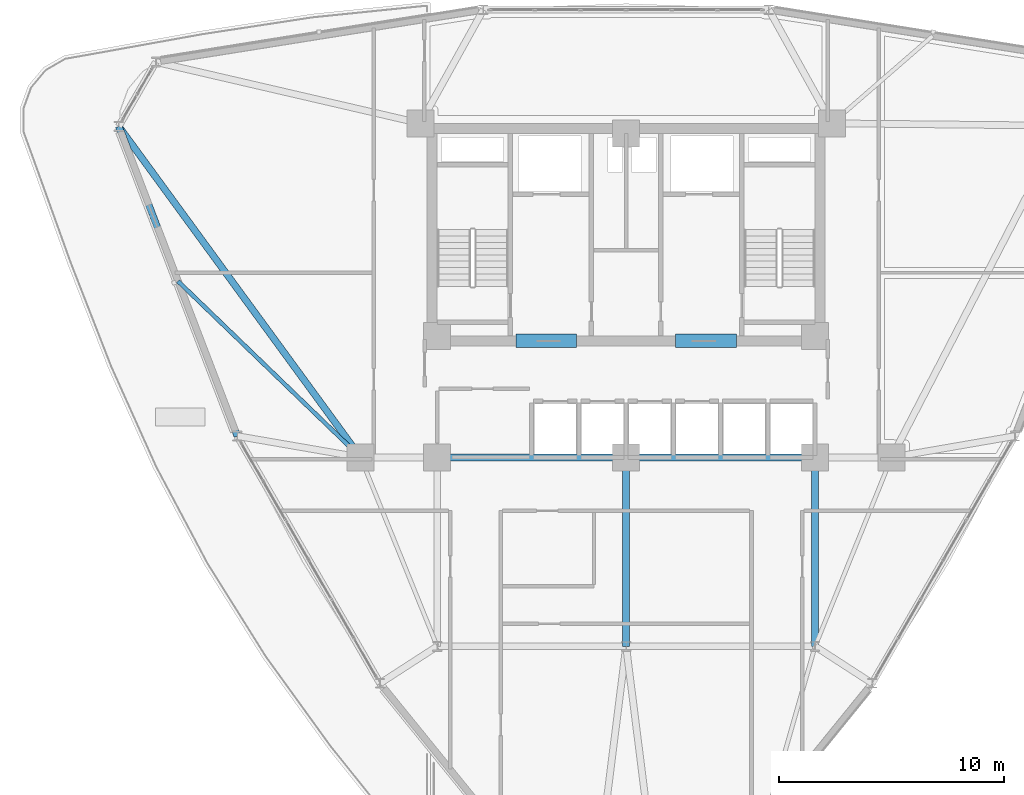
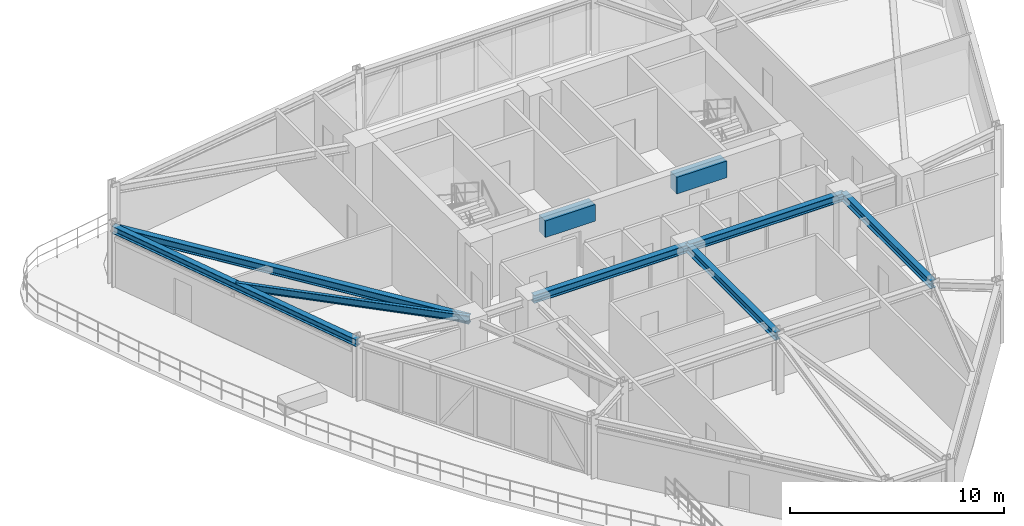
# One storey, part 6 of 18: 9 beams.
"""IFC4 building model written with IfcOpenShell, lengths in metres."""

from ifc_helpers import new_model, si_unit, derived_unit, direction, frame, origin, origin_2d, place, context, subcontext, project, spatial, rectangle, i_section, extrude, source, transform, mapped, material, material_profile, profile_set, type_object, element, save


model = new_model("IFC4")

# Units and contexts
model_context = context("Model", 3, precision=1e-05, world=origin(), true_north=direction((0.0, 1.0)))
body_context = subcontext(model_context, "Body", "Model", "MODEL_VIEW")
ifc_project = project(units=[si_unit("LENGTHUNIT", "METRE"), si_unit("AREAUNIT", "SQUARE_METRE"), si_unit("VOLUMEUNIT", "CUBIC_METRE"), si_unit("PLANEANGLEUNIT", "RADIAN"), si_unit("MASSUNIT", "GRAM", prefix="KILO"), derived_unit("THERMALTRANSMITTANCEUNIT", [(si_unit("POWERUNIT", "WATT"), 1), (si_unit("LENGTHUNIT", "METRE"), -2), (si_unit("THERMODYNAMICTEMPERATUREUNIT", "KELVIN"), -1)])], contexts=[model_context])

# Site, building, storey
site_placement = place(None, origin())
site = spatial("IfcSite", under=ifc_project, at=site_placement, CompositionType="ELEMENT")
building_placement = place(site_placement, origin())
building = spatial("IfcBuilding", under=site, at=building_placement, Name="Korsvarv Bourse and Concert Hall", CompositionType="ELEMENT")
storey_placement = place(building_placement, frame((0.0, 0.0, 168.60009765625)))
storey = spatial("IfcBuildingStorey", under=building, at=storey_placement, Name="L43", CompositionType="ELEMENT", Elevation=168.60009765625)

# Beams
ifc_material_1 = material(Name="Concrete C55/67", Category="concrete")
ifc_material_profile_1 = material_profile(ifc_material_1, rectangle(XDim=0.60009765625, YDim=0.949951171875, at=origin_2d()), Name="RC-BM 600x950")
ifc_profile_set_1 = profile_set([ifc_material_profile_1], Name="Concrete C55/67")
beam_type_1 = type_object("IfcBeamType", Name="BM-CPL", PredefinedType="LINTEL", material=ifc_profile_set_1)
shared_shape_1 = source(origin(), body_context, "Body", "SweptSolid", [
    extrude(rectangle(XDim=0.60009765625, YDim=0.949951171875, at=origin_2d()), origin(), (0.0, 0.0, 1.0), 2.699951171875),
])
for number, where, z_axis, x_axis, name in (
    (1, (31.10009765625, 37.574951171875, 2.9248046875), (1.0, 0.0, 0.0), (0.0, 1.0, 0.0), "L43 Core Coupling Beam West"),
    (2, (38.199951171875, 37.574951171875, 2.9248046875), (1.0, 0.0, 0.0), (0.0, 1.0, 0.0), "L43 Core Coupling Beam East"),
):
    element("IfcBeam", number, at=place(storey_placement, frame(where, z_axis=z_axis, x_axis=x_axis)), inside=storey, type_object=beam_type_1, Name=name, PredefinedType="LINTEL", context=body_context, shape_type="MappedRepresentation", body=[
        mapped(shared_shape_1, transform((0.0, 0.0, 0.0), scale=1.0)),
    ])
ifc_material_2 = material(Name="Steel S355", Category="steel")
ifc_material_profile_2 = material_profile(ifc_material_2, i_section(OverallWidth=0.300048828125, OverallDepth=0.449951171875, WebThickness=0.013916015625, FlangeThickness=0.02587890625, FilletRadius=0.02099609375, at=origin_2d()), Name="HEB 450")
ifc_profile_set_2 = profile_set([ifc_material_profile_2], Name="Steel S355")
beam_type_2 = type_object("IfcBeamType", Name="BM-HEB450", PredefinedType="SPANDREL", material=ifc_profile_set_2)
shared_shape_2 = source(origin(), body_context, "Body", "SweptSolid", [
    extrude(i_section(OverallWidth=0.300048828125, OverallDepth=0.449951171875, WebThickness=0.013916015625, FlangeThickness=0.02587890625, FilletRadius=0.02099609375, at=origin_2d()), origin(), (0.0, 0.0, 1.0), 8.39990234375),
])
for number, where, z_axis, x_axis, name in (
    (3, (27.60009765625, 32.39990234375, 3.1748046875), (1.0, 0.0, 0.0), (0.0, 1.0, 0.0), "L43 beam B-08"),
    (4, (36.0, 32.39990234375, 3.1748046875), (1.0, 0.0, 0.0), (0.0, 1.0, 0.0), "L43 beam B-08"),
    (5, (36.0, 24.0, 3.1748046875), (0.0, 1.0, 0.0), (-1.0, 0.0, 0.0), "L43 beam B-08"),
    (6, (44.39990234375, 24.0, 3.1748046875), (0.0, 1.0, 0.0), (-1.0, 0.0, 0.0), "L43 beam B-08"),
):
    element("IfcBeam", number, at=place(storey_placement, frame(where, z_axis=z_axis, x_axis=x_axis)), inside=storey, type_object=beam_type_2, Name=name, PredefinedType="SPANDREL", context=body_context, shape_type="MappedRepresentation", body=[
        mapped(shared_shape_2, transform((0.0, 0.0, 0.0), scale=1.0)),
    ])
ifc_material_profile_3 = material_profile(ifc_material_2, i_section(OverallWidth=0.300048828125, OverallDepth=0.39990234375, WebThickness=0.013427734375, FlangeThickness=0.02392578125, FilletRadius=0.02099609375, at=origin_2d()), Name="HEB 400")
ifc_profile_set_3 = profile_set([ifc_material_profile_3], Name="Steel S355")
beam_type_3 = type_object("IfcBeamType", Name="BM-HEB400", PredefinedType="SPANDREL", material=ifc_profile_set_3)
shared_shape_3 = source(origin(), body_context, "Body", "SweptSolid", [
    extrude(i_section(OverallWidth=0.300048828125, OverallDepth=0.39990234375, WebThickness=0.013427734375, FlangeThickness=0.02392578125, FilletRadius=0.02099609375, at=origin_2d()), origin(), (0.0, 0.0, 1.0), 14.740234375),
])
beam_1_placement = place(storey_placement, frame((13.446044921875, 47.114501953125, 3.199951171875), z_axis=(0.357410307227, -0.933947467627, 0.0), x_axis=(0.933947467627, 0.357410307227, 0.0)))
element("IfcBeam", 7, at=beam_1_placement, inside=storey, type_object=beam_type_3, Name="L43 beam B-09", PredefinedType="SPANDREL", context=body_context, shape_type="MappedRepresentation", body=[
    mapped(shared_shape_3, transform((0.0, 0.0, 0.0), scale=1.0)),
])
shared_shape_4 = source(origin(), body_context, "Body", "SweptSolid", [
    extrude(i_section(OverallWidth=0.300048828125, OverallDepth=0.449951171875, WebThickness=0.013916015625, FlangeThickness=0.02587890625, FilletRadius=0.02099609375, at=origin_2d()), origin(), (0.0, 0.0, 1.0), 18.225341796875),
])
beam_2_placement = place(storey_placement, frame((13.446044921875, 47.114501953125, 3.1748046875), z_axis=(0.590049838891, -0.807366823461, 0.0), x_axis=(0.807366823461, 0.590049838891, 0.0)))
element("IfcBeam", 8, at=beam_2_placement, inside=storey, type_object=beam_type_2, Name="L43 beam B-08", PredefinedType="SPANDREL", context=body_context, shape_type="MappedRepresentation", body=[
    mapped(shared_shape_4, transform((0.0, 0.0, 0.0), scale=1.0)),
])
ifc_material_profile_4 = material_profile(ifc_material_2, i_section(OverallWidth=0.179931640625, OverallDepth=0.39990234375, WebThickness=0.008544921875, FlangeThickness=0.013427734375, FilletRadius=0.02099609375, at=origin_2d()), Name="IPE 400")
ifc_profile_set_4 = profile_set([ifc_material_profile_4], Name="Steel S355")
beam_type_4 = type_object("IfcBeamType", Name="BM-IPE400", PredefinedType="JOIST", material=ifc_profile_set_4)
shared_shape_5 = source(origin(), body_context, "Body", "SweptSolid", [
    extrude(i_section(OverallWidth=0.179931640625, OverallDepth=0.39990234375, WebThickness=0.008544921875, FlangeThickness=0.013427734375, FilletRadius=0.02099609375, at=origin_2d()), origin(), (0.0, 0.0, 1.0), 11.281005859375),
])
beam_3_placement = place(storey_placement, frame((16.080078125, 40.231201171875, 3.199951171875), z_axis=(0.719781341286, -0.694200850429, 0.0), x_axis=(0.694200850429, 0.719781341286, 0.0)))
element("IfcBeam", 9, at=beam_3_placement, inside=storey, type_object=beam_type_4, Name="L43 beam J-05", PredefinedType="JOIST", context=body_context, shape_type="MappedRepresentation", body=[
    mapped(shared_shape_5, transform((0.0, 0.0, 0.0), scale=1.0)),
])

save(model, "model.ifc")
